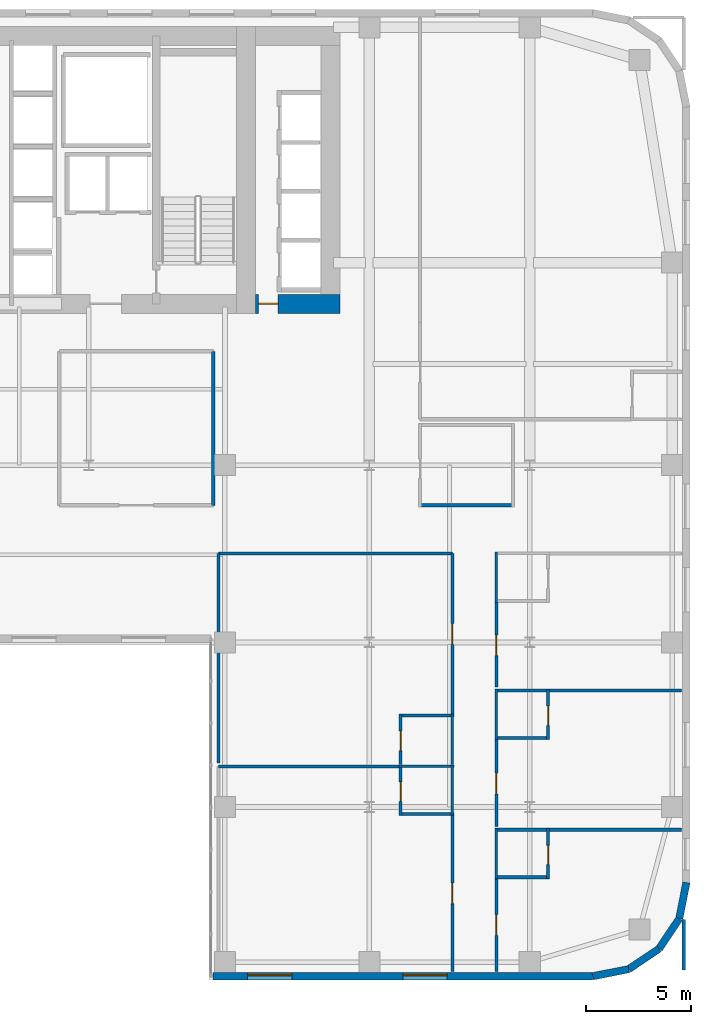
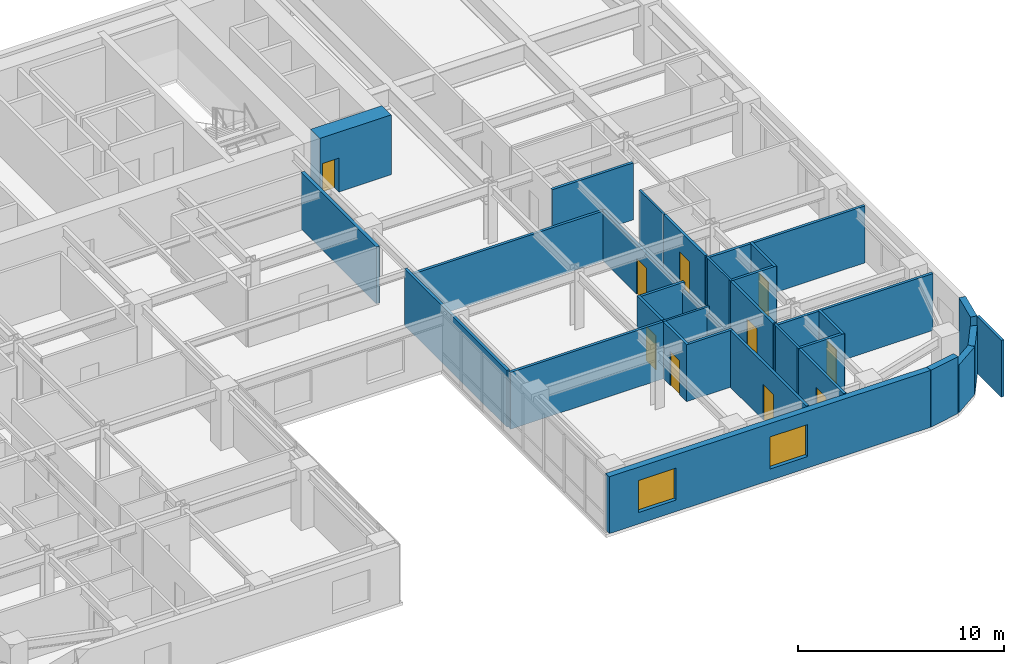
# One storey, part 12 of 16: 35 walls, 10 doors, 2 windows, 12 openings.
"""IFC4 building model written with IfcOpenShell, lengths in metres."""

from ifc_helpers import new_model, si_unit, direction, frame, frame_2d, origin, place, context, subcontext, project, spatial, rectangle, extrude, source, transform, mapped, material, layer, layer_set, type_object, type_shapes, element, fill, save


model = new_model("IFC4")

# Units and contexts
model_context = context("Model", 3, precision=1e-05, world=origin(), true_north=direction((0.0, 1.0)))
body_context = subcontext(model_context, "Body", "Model", "MODEL_VIEW")
ifc_project = project(units=[si_unit("LENGTHUNIT", "METRE"), si_unit("AREAUNIT", "SQUARE_METRE"), si_unit("VOLUMEUNIT", "CUBIC_METRE"), si_unit("PLANEANGLEUNIT", "RADIAN"), si_unit("MASSUNIT", "GRAM", prefix="KILO")], contexts=[model_context])

# Site, building, storey
site_placement = place(None, origin())
site = spatial("IfcSite", under=ifc_project, at=site_placement, CompositionType="ELEMENT")
building_placement = place(site_placement, origin())
building = spatial("IfcBuilding", under=site, at=building_placement, Name="Tolvann Quenvar Hotel", CompositionType="ELEMENT")
storey_placement = place(building_placement, frame((0.0, 0.0, 63.949951171875)))
storey = spatial("IfcBuildingStorey", under=building, at=storey_placement, Name="L15", CompositionType="ELEMENT", Elevation=63.949951171875)

# Wall, opening, door
ifc_material_1 = material(Name="Concrete S80 (80 MPa)", Category="concrete")
ifc_layer_1 = layer(ifc_material_1, 0.89990234375)
ifc_layer_set_1 = layer_set([ifc_layer_1], Name="Concrete S80 (80 MPa)")
wall_type_1 = type_object("IfcWallType", Name="WALL_CORE_900", PredefinedType="SHEAR", material=ifc_layer_set_1)
wall_1_placement = place(storey_placement, frame((36.39990234375, 32.050048828125, 0.0), z_axis=(0.0, 0.0, 1.0), x_axis=(1.0, 0.0, 0.0)))
wall_1 = element("IfcWall", 1, at=wall_1_placement, inside=storey, type_object=wall_type_1, Name="Core East Annex Shear Wall ANN-S (L15)", PredefinedType="SHEAR", context=body_context, shape_type="SweptSolid", body=[
    extrude(rectangle(XDim=4.0, YDim=0.89990234375, at=frame_2d((2.0, 0.0))), origin(), (0.0, 0.0, 1.0), 3.550048828125),
])
opening_1_placement = place(wall_1_placement, frame((1.06982421875, 0.0, 0.0), z_axis=(0.0, 0.0, 1.0), x_axis=(-1.0, 0.0, 0.0)))
opening_1 = element("IfcOpeningElement", 2, at=opening_1_placement, cuts=wall_1, Name="Opening WD-01", PredefinedType="OPENING", context=body_context, shape_type="SweptSolid", body=[
    extrude(rectangle(XDim=0.919921875, YDim=2.010009765625, at=frame_2d((0.4599609375, 1.0048828125))), frame((0.0, 0.4599609375, 0.0), z_axis=(0.0, -1.0, 0.0), x_axis=(1.0, 0.0, 0.0)), (0.0, 0.0, 1.0), 0.919921875),
])
ifc_material_2 = material(Name="Solid-core American oak acoustic fire door leaf in steel frame", Category="steel")
door_type_1 = type_object("IfcDoorType", Name="DOOR_WC_920", OperationType="NOTDEFINED", PredefinedType="DOOR", material=ifc_material_2)
shared_shape_1 = source(origin(), body_context, "Body", "SweptSolid", [
    extrude(rectangle(XDim=0.919921875, YDim=2.010009765625, at=frame_2d((0.4599609375, 1.0048828125))), frame((0.0, 0.02490234375, 0.0), z_axis=(0.0, -1.0, 0.0), x_axis=(1.0, 0.0, 0.0)), (0.0, 0.0, 1.0), 0.050048828125),
])
type_shapes(door_type_1, [shared_shape_1])
door_1_placement = place(opening_1_placement, origin())
door_1 = element("IfcDoor", 3, at=door_1_placement, inside=storey, type_object=door_type_1, Name="Low-Rise Lift Lobby Fire Door (L15)", OperationType="SINGLE_SWING_RIGHT", OverallHeight=2.010009765625, OverallWidth=0.919921875, PredefinedType="DOOR", context=body_context, shape_type="MappedRepresentation", body=[
    mapped(shared_shape_1, transform((0.0, 0.0, 0.0), x_axis=(1.0, 0.0, 0.0), y_axis=(0.0, 1.0, 0.0), z_axis=(0.0, 0.0, 1.0), scale=1.0)),
])
fill(opening_1, door_1)

# Wall, openings, windows
ifc_material_3 = material(Name="Kiln-fired red and buff architectural clay brickwork and terracotta masonry", Category="masonry")
ifc_layer_2 = layer(ifc_material_3, 0.35009765625)
ifc_layer_set_2 = layer_set([ifc_layer_2], Name="Kiln-fired red and buff architectural clay brickwork and terracotta masonry")
wall_type_2 = type_object("IfcWallType", Name="WALL_EXT_BRICK_350", PredefinedType="SOLIDWALL", material=ifc_layer_set_2)
wall_2_placement = place(storey_placement, frame((34.375, 0.175048828125, 0.0), z_axis=(0.0, 0.0, 1.0), x_axis=(1.0, 0.0, 0.0)))
wall_2 = element("IfcWall", 4, at=wall_2_placement, inside=storey, type_object=wall_type_2, Name="Exterior Chicago Brick Wall L15-E08", PredefinedType="SOLIDWALL", context=body_context, shape_type="SweptSolid", body=[
    extrude(rectangle(XDim=18.0078125, YDim=0.35009765625, at=frame_2d((9.00390625, 0.0))), origin(), (0.0, 0.0, 1.0), 3.3701171875),
])
opening_2_placement = place(wall_2_placement, frame((1.65087890625, 0.0, 0.679931640625)))
opening_2 = element("IfcOpeningElement", 5, at=opening_2_placement, cuts=wall_2, Name="Opening W-02", PredefinedType="OPENING", context=body_context, shape_type="SweptSolid", body=[
    extrude(rectangle(XDim=2.10009765625, YDim=1.89990234375, at=frame_2d((1.050048828125, 0.949951171875))), frame((0.0, 0.18505859375, 0.0), z_axis=(0.0, -1.0, 0.0), x_axis=(1.0, 0.0, 0.0)), (0.0, 0.0, 1.0), 0.3701171875),
])
opening_3_placement = place(wall_2_placement, frame((9.0048828125, 0.0, 0.679931640625)))
opening_3 = element("IfcOpeningElement", 6, at=opening_3_placement, cuts=wall_2, Name="Opening W-02", PredefinedType="OPENING", context=body_context, shape_type="SweptSolid", body=[
    extrude(rectangle(XDim=2.10009765625, YDim=1.89990234375, at=frame_2d((1.050048828125, 0.949951171875))), frame((0.0, 0.18505859375, 0.0), z_axis=(0.0, -1.0, 0.0), x_axis=(1.0, 0.0, 0.0)), (0.0, 0.0, 1.0), 0.3701171875),
])
ifc_material_4 = material(Name="Thermally broken bronze-anodised aluminium frame with double low-E glazing", Category="aluminium")
window_type = type_object("IfcWindowType", Name="WIN_CHI_2100x2050", PartitioningType="TRIPLE_PANEL_HORIZONTAL", PredefinedType="WINDOW", material=ifc_material_4)
shared_shape_2 = source(origin(), body_context, "Body", "SweptSolid", [
    extrude(rectangle(XDim=2.10009765625, YDim=1.89990234375, at=frame_2d((1.050048828125, 0.949951171875))), frame((0.0, 0.090087890625, 0.0), z_axis=(0.0, -1.0, 0.0), x_axis=(1.0, 0.0, 0.0)), (0.0, 0.0, 1.0), 0.06005859375),
])
type_shapes(window_type, [shared_shape_2])
window_1_placement = place(opening_2_placement, origin())
window_1 = element("IfcWindow", 7, at=window_1_placement, inside=storey, type_object=window_type, Name="Chicago Window W-02 (EW-L15-E08-W01)", OverallHeight=1.89990234375, OverallWidth=2.10009765625, PartitioningType="TRIPLE_PANEL_HORIZONTAL", PredefinedType="WINDOW", context=body_context, shape_type="MappedRepresentation", body=[
    mapped(shared_shape_2, transform((0.0, 0.0, 0.0), x_axis=(1.0, 0.0, 0.0), y_axis=(0.0, 1.0, 0.0), z_axis=(0.0, 0.0, 1.0), scale=1.0)),
])
fill(opening_2, window_1)
window_2_placement = place(opening_3_placement, origin())
window_2 = element("IfcWindow", 8, at=window_2_placement, inside=storey, type_object=window_type, Name="Chicago Window W-02 (EW-L15-E08-W02)", OverallHeight=1.89990234375, OverallWidth=2.10009765625, PartitioningType="TRIPLE_PANEL_HORIZONTAL", PredefinedType="WINDOW", context=body_context, shape_type="MappedRepresentation", body=[
    mapped(shared_shape_2, transform((0.0, 0.0, 0.0), x_axis=(1.0, 0.0, 0.0), y_axis=(0.0, 1.0, 0.0), z_axis=(0.0, 0.0, 1.0), scale=1.0)),
])
fill(opening_3, window_2)

# Walls
wall_3_placement = place(storey_placement, frame((52.3828125, 0.175048828125, 0.0), z_axis=(0.0, 0.0, 1.0), x_axis=(0.980800971659, 0.195011420161, 0.0)))
element("IfcWall", 9, at=wall_3_placement, inside=storey, type_object=wall_type_2, Name="Exterior Chicago Brick Wall L15-E09", PredefinedType="SOLIDWALL", context=body_context, shape_type="SweptSolid", body=[
    extrude(rectangle(XDim=1.74267578125, YDim=0.35009765625, at=frame_2d((0.871337890625, 0.0))), origin(), (0.0, 0.0, 1.0), 3.3701171875),
])
for number, where, z_axis, x_axis, name in (
    (10, (54.092041015625, 0.514892578125, 0.0), (0.0, 0.0, 1.0), (0.831483840845, 0.55554893791, 0.0), "Exterior Chicago Brick Wall L15-E10"),
    (11, (55.526611328125, 1.473388671875, 0.0), (0.0, 0.0, 1.0), (0.55554893791, 0.831483840845, 0.0), "Exterior Chicago Brick Wall L15-E11"),
):
    element("IfcWall", number, at=place(storey_placement, frame(where, z_axis=z_axis, x_axis=x_axis)), inside=storey, type_object=wall_type_2, Name=name, PredefinedType="SOLIDWALL", context=body_context, shape_type="SweptSolid", body=[
        extrude(rectangle(XDim=1.725341796875, YDim=0.35009765625, at=frame_2d((0.86279296875, 0.0))), origin(), (0.0, 0.0, 1.0), 2.83203125),
    ])
wall_4_placement = place(storey_placement, frame((56.485107421875, 2.907958984375, 0.0), z_axis=(0.0, 0.0, 1.0), x_axis=(0.195011420161, 0.980800971659, 0.0)))
element("IfcWall", 12, at=wall_4_placement, inside=storey, type_object=wall_type_2, Name="Exterior Chicago Brick Wall L15-E12", PredefinedType="SOLIDWALL", context=body_context, shape_type="SweptSolid", body=[
    extrude(rectangle(XDim=1.74267578125, YDim=0.35009765625, at=frame_2d((0.871337890625, 0.0))), origin(), (0.0, 0.0, 1.0), 3.3701171875),
])
ifc_material_5 = material(Name="Acoustic twin-stud fire-rated gypsum plasterboard partition")
ifc_layer_3 = layer(ifc_material_5, 0.179931640625)
ifc_layer_set_3 = layer_set([ifc_layer_3], Name="Acoustic twin-stud fire-rated gypsum plasterboard partition")
wall_type_3 = type_object("IfcWallType", Name="WALL_PART_ACOUSTIC_180", PredefinedType="PARTITIONING", material=ifc_layer_set_3)
wall_5_placement = place(storey_placement, frame((34.39990234375, 22.5, 0.0), z_axis=(0.0, 0.0, 1.0), x_axis=(0.0, 1.0, 0.0)))
element("IfcWall", 13, at=wall_5_placement, inside=storey, type_object=wall_type_3, Name="Interior Partition PT-SPC-L15-MSP-C-E", PredefinedType="PARTITIONING", context=body_context, shape_type="SweptSolid", body=[
    extrude(rectangle(XDim=7.300048828125, YDim=0.179931640625, at=frame_2d((3.64990234375, 0.0))), origin(), (0.0, 0.0, 1.0), 3.3701171875),
])
ifc_material_6 = material(Name="Moisture-resistant acoustic plumbing wall assembly")
ifc_layer_4 = layer(ifc_material_6, 0.1201171875)
ifc_layer_set_4 = layer_set([ifc_layer_4], Name="Moisture-resistant acoustic plumbing wall assembly")
wall_type_4 = type_object("IfcWallType", Name="WALL_PART_BATH_120", PredefinedType="PLUMBINGWALL", material=ifc_layer_set_4)
wall_6_placement = place(storey_placement, frame((43.2099609375, 10.1201171875, 0.0), z_axis=(0.0, 0.0, 1.0), x_axis=(1.0, 0.0, 0.0)))
element("IfcWall", 14, at=wall_6_placement, inside=storey, type_object=wall_type_4, Name="Non-Rated Plumbing Partition PT-SPC-L15-ENS-EI01-N", PredefinedType="PLUMBINGWALL", context=body_context, shape_type="SweptSolid", body=[
    extrude(rectangle(XDim=2.590087890625, YDim=0.1201171875, at=frame_2d((1.294921875, 0.0))), origin(), (0.0, 0.0, 1.0), 3.3701171875),
])
wall_7_placement = place(storey_placement, frame((45.72998046875, 7.800048828125, 0.0), z_axis=(0.0, 0.0, 1.0), x_axis=(0.0, 1.0, 0.0)))
element("IfcWall", 15, at=wall_7_placement, inside=storey, type_object=wall_type_4, Name="Non-Rated Plumbing Partition PT-SPC-L15-ENS-EI01-E", PredefinedType="PLUMBINGWALL", context=body_context, shape_type="SweptSolid", body=[
    extrude(rectangle(XDim=2.389892578125, YDim=0.1201171875, at=frame_2d((1.19482421875, 0.0))), origin(), (0.0, 0.0, 1.0), 2.9541015625),
])
wall_8_placement = place(storey_placement, frame((45.72998046875, 10.2099609375, 0.0), z_axis=(0.0, 0.0, 1.0), x_axis=(0.0, 1.0, 0.0)))
element("IfcWall", 16, at=wall_8_placement, inside=storey, type_object=wall_type_4, Name="Non-Rated Plumbing Partition PT-SPC-L15-ENS-EI02-E", PredefinedType="PLUMBINGWALL", context=body_context, shape_type="SweptSolid", body=[
    extrude(rectangle(XDim=2.39013671875, YDim=0.1201171875, at=frame_2d((1.195068359375, 0.0))), origin(), (0.0, 0.0, 1.0), 2.9541015625),
])
wall_9_placement = place(storey_placement, frame((47.820068359375, 4.800048828125, 0.0), z_axis=(0.0, 0.0, 1.0), x_axis=(0.0, 1.0, 0.0)))
element("IfcWall", 17, at=wall_9_placement, inside=storey, type_object=wall_type_4, Name="Non-Rated Plumbing Partition PT-SPC-L15-ENS-EO01-W", PredefinedType="PLUMBINGWALL", context=body_context, shape_type="SweptSolid", body=[
    extrude(rectangle(XDim=2.389892578125, YDim=0.1201171875, at=frame_2d((1.19482421875, 0.0))), origin(), (0.0, 0.0, 1.0), 3.3701171875),
])
for number, where, z_axis, x_axis, name in (
    (18, (47.820068359375, 11.39990234375, 0.0), (0.0, 0.0, 1.0), (0.0, 1.0, 0.0), "Non-Rated Plumbing Partition PT-SPC-L15-ENS-EO02-W"),
    (19, (47.820068359375, 17.89990234375, 0.0), (0.0, 0.0, 1.0), (0.0, 1.0, 0.0), "Non-Rated Plumbing Partition PT-SPC-L15-ENS-EO03-W"),
):
    element("IfcWall", number, at=place(storey_placement, frame(where, z_axis=z_axis, x_axis=x_axis)), inside=storey, type_object=wall_type_4, Name=name, PredefinedType="PLUMBINGWALL", context=body_context, shape_type="SweptSolid", body=[
        extrude(rectangle(XDim=2.39013671875, YDim=0.1201171875, at=frame_2d((1.195068359375, 0.0))), origin(), (0.0, 0.0, 1.0), 3.3701171875),
    ])

# Wall, opening, door
ifc_layer_5 = layer(ifc_material_5, 0.14990234375)
ifc_layer_set_5 = layer_set([ifc_layer_5], Name="Acoustic twin-stud fire-rated gypsum plasterboard partition")
wall_type_5 = type_object("IfcWallType", Name="WALL_PART_SUITE_150", PredefinedType="PARTITIONING", material=ifc_layer_set_5)
wall_10_placement = place(storey_placement, frame((43.280029296875, 7.800048828125, 0.0), z_axis=(0.0, 0.0, 1.0), x_axis=(0.0, 1.0, 0.0)))
wall_10 = element("IfcWall", 20, at=wall_10_placement, inside=storey, type_object=wall_type_5, Name="Interior Partition PT-SPC-L15-ENS-EI01-ENT", PredefinedType="PARTITIONING", context=body_context, shape_type="SweptSolid", body=[
    extrude(rectangle(XDim=2.389892578125, YDim=0.14990234375, at=frame_2d((1.19482421875, 0.0))), origin(), (0.0, 0.0, 1.0), 3.3701171875),
])
opening_4_placement = place(wall_10_placement, frame((0.6650390625, 0.0, 0.0)))
opening_4 = element("IfcOpeningElement", 21, at=opening_4_placement, cuts=wall_10, Name="Opening WD-01", PredefinedType="OPENING", context=body_context, shape_type="SweptSolid", body=[
    extrude(rectangle(XDim=0.919921875, YDim=2.010009765625, at=frame_2d((0.4599609375, 1.0048828125))), frame((0.0, 0.0849609375, 0.0), z_axis=(0.0, -1.0, 0.0), x_axis=(1.0, 0.0, 0.0)), (0.0, 0.0, 1.0), 0.169921875),
])
door_2_placement = place(opening_4_placement, origin())
door_2 = element("IfcDoor", 22, at=door_2_placement, inside=storey, type_object=door_type_1, Name="Interior Door DOOR-SPC-L15-ENS-EI01", OperationType="SINGLE_SWING_RIGHT", OverallHeight=2.010009765625, OverallWidth=0.919921875, PredefinedType="DOOR", context=body_context, shape_type="MappedRepresentation", body=[
    mapped(shared_shape_1, transform((0.0, 0.0, 0.0), x_axis=(1.0, 0.0, 0.0), y_axis=(0.0, 1.0, 0.0), z_axis=(0.0, 0.0, 1.0), scale=1.0)),
])
fill(opening_4, door_2)

# Wall
wall_11_placement = place(storey_placement, frame((43.2099609375, 7.8701171875, 0.0), z_axis=(0.0, 0.0, 1.0), x_axis=(1.0, 0.0, 0.0)))
element("IfcWall", 23, at=wall_11_placement, inside=storey, type_object=wall_type_5, Name="Interior Partition PT-SPC-L15-ENS-EI01-S", PredefinedType="PARTITIONING", context=body_context, shape_type="SweptSolid", body=[
    extrude(rectangle(XDim=2.590087890625, YDim=0.14990234375, at=frame_2d((1.294921875, 0.0))), origin(), (0.0, 0.0, 1.0), 3.3701171875),
])

# Wall, opening, door
wall_12_placement = place(storey_placement, frame((43.280029296875, 10.2099609375, 0.0), z_axis=(0.0, 0.0, 1.0), x_axis=(0.0, 1.0, 0.0)))
wall_12 = element("IfcWall", 24, at=wall_12_placement, inside=storey, type_object=wall_type_5, Name="Interior Partition PT-SPC-L15-ENS-EI02-ENT", PredefinedType="PARTITIONING", context=body_context, shape_type="SweptSolid", body=[
    extrude(rectangle(XDim=2.39013671875, YDim=0.14990234375, at=frame_2d((1.195068359375, 0.0))), origin(), (0.0, 0.0, 1.0), 3.3701171875),
])
opening_5_placement = place(wall_12_placement, frame((0.6650390625, 0.0, 0.0)))
opening_5 = element("IfcOpeningElement", 25, at=opening_5_placement, cuts=wall_12, Name="Opening WD-01", PredefinedType="OPENING", context=body_context, shape_type="SweptSolid", body=[
    extrude(rectangle(XDim=0.919921875, YDim=2.010009765625, at=frame_2d((0.4599609375, 1.0048828125))), frame((0.0, 0.0849609375, 0.0), z_axis=(0.0, -1.0, 0.0), x_axis=(1.0, 0.0, 0.0)), (0.0, 0.0, 1.0), 0.169921875),
])
door_3_placement = place(opening_5_placement, origin())
door_3 = element("IfcDoor", 26, at=door_3_placement, inside=storey, type_object=door_type_1, Name="Interior Door DOOR-SPC-L15-ENS-EI02", OperationType="SINGLE_SWING_LEFT", OverallHeight=2.010009765625, OverallWidth=0.919921875, PredefinedType="DOOR", context=body_context, shape_type="MappedRepresentation", body=[
    mapped(shared_shape_1, transform((0.0, 0.0, 0.0), x_axis=(1.0, 0.0, 0.0), y_axis=(0.0, 1.0, 0.0), z_axis=(0.0, 0.0, 1.0), scale=1.0)),
])
fill(opening_5, door_3)

# Wall
wall_13_placement = place(storey_placement, frame((43.2099609375, 12.530029296875, 0.0), z_axis=(0.0, 0.0, 1.0), x_axis=(1.0, 0.0, 0.0)))
element("IfcWall", 27, at=wall_13_placement, inside=storey, type_object=wall_type_5, Name="Interior Partition PT-SPC-L15-ENS-EI02-N", PredefinedType="PARTITIONING", context=body_context, shape_type="SweptSolid", body=[
    extrude(rectangle(XDim=2.590087890625, YDim=0.14990234375, at=frame_2d((1.294921875, 0.0))), origin(), (0.0, 0.0, 1.0), 3.3701171875),
])

# Wall, opening, door
wall_14_placement = place(storey_placement, frame((50.27001953125, 4.800048828125, 0.0), z_axis=(0.0, 0.0, 1.0), x_axis=(0.0, 1.0, 0.0)))
wall_14 = element("IfcWall", 28, at=wall_14_placement, inside=storey, type_object=wall_type_5, Name="Interior Partition PT-SPC-L15-ENS-EO01-ENT", PredefinedType="PARTITIONING", context=body_context, shape_type="SweptSolid", body=[
    extrude(rectangle(XDim=2.389892578125, YDim=0.14990234375, at=frame_2d((1.19482421875, 0.0))), origin(), (0.0, 0.0, 1.0), 3.3701171875),
])
opening_6_placement = place(wall_14_placement, frame((0.6650390625, 0.0, 0.0)))
opening_6 = element("IfcOpeningElement", 29, at=opening_6_placement, cuts=wall_14, Name="Opening WD-01", PredefinedType="OPENING", context=body_context, shape_type="SweptSolid", body=[
    extrude(rectangle(XDim=0.919921875, YDim=2.010009765625, at=frame_2d((0.4599609375, 1.0048828125))), frame((0.0, 0.0849609375, 0.0), z_axis=(0.0, -1.0, 0.0), x_axis=(1.0, 0.0, 0.0)), (0.0, 0.0, 1.0), 0.169921875),
])
door_4_placement = place(opening_6_placement, origin())
door_4 = element("IfcDoor", 30, at=door_4_placement, inside=storey, type_object=door_type_1, Name="Interior Door DOOR-SPC-L15-ENS-EO01", OperationType="SINGLE_SWING_RIGHT", OverallHeight=2.010009765625, OverallWidth=0.919921875, PredefinedType="DOOR", context=body_context, shape_type="MappedRepresentation", body=[
    mapped(shared_shape_1, transform((0.0, 0.0, 0.0), x_axis=(1.0, 0.0, 0.0), y_axis=(0.0, 1.0, 0.0), z_axis=(0.0, 0.0, 1.0), scale=1.0)),
])
fill(opening_6, door_4)

# Walls
for number, where, z_axis, x_axis, name in (
    (31, (47.75, 4.8701171875, 0.0), (0.0, 0.0, 1.0), (1.0, 0.0, 0.0), "Interior Partition PT-SPC-L15-ENS-EO01-S"),
    (32, (47.75, 7.1201171875, 0.0), (0.0, 0.0, 1.0), (1.0, 0.0, 0.0), "Interior Partition PT-SPC-L15-ENS-EO01-N"),
):
    element("IfcWall", number, at=place(storey_placement, frame(where, z_axis=z_axis, x_axis=x_axis)), inside=storey, type_object=wall_type_5, Name=name, PredefinedType="PARTITIONING", context=body_context, shape_type="SweptSolid", body=[
        extrude(rectangle(XDim=2.590087890625, YDim=0.14990234375, at=frame_2d((1.294921875, 0.0))), origin(), (0.0, 0.0, 1.0), 3.3701171875),
    ])

# Wall, opening, door
wall_15_placement = place(storey_placement, frame((50.27001953125, 11.39990234375, 0.0), z_axis=(0.0, 0.0, 1.0), x_axis=(0.0, 1.0, 0.0)))
wall_15 = element("IfcWall", 33, at=wall_15_placement, inside=storey, type_object=wall_type_5, Name="Interior Partition PT-SPC-L15-ENS-EO02-ENT", PredefinedType="PARTITIONING", context=body_context, shape_type="SweptSolid", body=[
    extrude(rectangle(XDim=2.39013671875, YDim=0.14990234375, at=frame_2d((1.195068359375, 0.0))), origin(), (0.0, 0.0, 1.0), 3.3701171875),
])
opening_7_placement = place(wall_15_placement, frame((0.6650390625, 0.0, 0.0)))
opening_7 = element("IfcOpeningElement", 34, at=opening_7_placement, cuts=wall_15, Name="Opening WD-01", PredefinedType="OPENING", context=body_context, shape_type="SweptSolid", body=[
    extrude(rectangle(XDim=0.919921875, YDim=2.010009765625, at=frame_2d((0.4599609375, 1.0048828125))), frame((0.0, 0.0849609375, 0.0), z_axis=(0.0, -1.0, 0.0), x_axis=(1.0, 0.0, 0.0)), (0.0, 0.0, 1.0), 0.169921875),
])
door_5_placement = place(opening_7_placement, origin())
door_5 = element("IfcDoor", 35, at=door_5_placement, inside=storey, type_object=door_type_1, Name="Interior Door DOOR-SPC-L15-ENS-EO02", OperationType="SINGLE_SWING_LEFT", OverallHeight=2.010009765625, OverallWidth=0.919921875, PredefinedType="DOOR", context=body_context, shape_type="MappedRepresentation", body=[
    mapped(shared_shape_1, transform((0.0, 0.0, 0.0), x_axis=(1.0, 0.0, 0.0), y_axis=(0.0, 1.0, 0.0), z_axis=(0.0, 0.0, 1.0), scale=1.0)),
])
fill(opening_7, door_5)

# Walls
for number, where, z_axis, x_axis, name in (
    (36, (47.75, 11.469970703125, 0.0), (0.0, 0.0, 1.0), (1.0, 0.0, 0.0), "Interior Partition PT-SPC-L15-ENS-EO02-S"),
    (37, (47.75, 13.719970703125, 0.0), (0.0, 0.0, 1.0), (1.0, 0.0, 0.0), "Interior Partition PT-SPC-L15-ENS-EO02-N"),
):
    element("IfcWall", number, at=place(storey_placement, frame(where, z_axis=z_axis, x_axis=x_axis)), inside=storey, type_object=wall_type_5, Name=name, PredefinedType="PARTITIONING", context=body_context, shape_type="SweptSolid", body=[
        extrude(rectangle(XDim=2.590087890625, YDim=0.14990234375, at=frame_2d((1.294921875, 0.0))), origin(), (0.0, 0.0, 1.0), 3.3701171875),
    ])

# Wall, opening, door
wall_16_placement = place(storey_placement, frame((45.72998046875, 0.405029296875, 0.0), z_axis=(0.0, 0.0, 1.0), x_axis=(0.0, 1.0, 0.0)))
wall_16 = element("IfcWall", 38, at=wall_16_placement, inside=storey, type_object=wall_type_5, Name="Interior Partition PT-SPC-L15-RM-EI01-ENT", PredefinedType="PARTITIONING", context=body_context, shape_type="SweptSolid", body=[
    extrude(rectangle(XDim=7.385009765625, YDim=0.14990234375, at=frame_2d((3.6923828125, 0.0))), origin(), (0.0, 0.0, 1.0), 3.3701171875),
])
opening_8_placement = place(wall_16_placement, frame((3.2099609375, 0.0, 0.0)))
opening_8 = element("IfcOpeningElement", 39, at=opening_8_placement, cuts=wall_16, Name="Opening SD-01", PredefinedType="OPENING", context=body_context, shape_type="SweptSolid", body=[
    extrude(rectangle(XDim=0.97998046875, YDim=2.1201171875, at=frame_2d((0.489990234375, 1.06005859375))), frame((0.0, 0.0849609375, 0.0), z_axis=(0.0, -1.0, 0.0), x_axis=(1.0, 0.0, 0.0)), (0.0, 0.0, 1.0), 0.169921875),
])
door_type_2 = type_object("IfcDoorType", Name="DOOR_SUITE_980", OperationType="NOTDEFINED", PredefinedType="DOOR", material=ifc_material_2)
shared_shape_3 = source(origin(), body_context, "Body", "SweptSolid", [
    extrude(rectangle(XDim=0.97998046875, YDim=2.1201171875, at=frame_2d((0.489990234375, 1.06005859375))), frame((0.0, 0.02490234375, 0.0), z_axis=(0.0, -1.0, 0.0), x_axis=(1.0, 0.0, 0.0)), (0.0, 0.0, 1.0), 0.050048828125),
])
type_shapes(door_type_2, [shared_shape_3])
door_6_placement = place(opening_8_placement, origin())
door_6 = element("IfcDoor", 40, at=door_6_placement, inside=storey, type_object=door_type_2, Name="Interior Door DOOR-SPC-L15-RM-EI01", OperationType="SINGLE_SWING_RIGHT", OverallHeight=2.1201171875, OverallWidth=0.97998046875, PredefinedType="DOOR", context=body_context, shape_type="MappedRepresentation", body=[
    mapped(shared_shape_3, transform((0.0, 0.0, 0.0), x_axis=(1.0, 0.0, 0.0), y_axis=(0.0, 1.0, 0.0), z_axis=(0.0, 0.0, 1.0), scale=1.0)),
])
fill(opening_8, door_6)

# Wall
wall_17_placement = place(storey_placement, frame((34.64990234375, 10.1201171875, 0.0), z_axis=(0.0, 0.0, 1.0), x_axis=(1.0, 0.0, 0.0)))
element("IfcWall", 41, at=wall_17_placement, inside=storey, type_object=wall_type_5, Name="Interior Partition PT-SPC-L15-RM-EI01-E5", PredefinedType="PARTITIONING", context=body_context, shape_type="SweptSolid", body=[
    extrude(rectangle(XDim=8.610107421875, YDim=0.14990234375, at=frame_2d((4.30517578125, 0.0))), origin(), (0.0, 0.0, 1.0), 3.3701171875),
])

# Wall, opening, door
wall_18_placement = place(storey_placement, frame((45.72998046875, 12.610107421875, 0.0), z_axis=(0.0, 0.0, 1.0), x_axis=(0.0, 1.0, 0.0)))
wall_18 = element("IfcWall", 42, at=wall_18_placement, inside=storey, type_object=wall_type_5, Name="Interior Partition PT-SPC-L15-RM-EI02-ENT", PredefinedType="PARTITIONING", context=body_context, shape_type="SweptSolid", body=[
    extrude(rectangle(XDim=7.60986328125, YDim=0.14990234375, at=frame_2d((3.804931640625, 0.0))), origin(), (0.0, 0.0, 1.0), 2.9541015625),
])
opening_9_placement = place(wall_18_placement, frame((3.294921875, 0.0, 0.0)))
opening_9 = element("IfcOpeningElement", 43, at=opening_9_placement, cuts=wall_18, Name="Opening SD-01", PredefinedType="OPENING", context=body_context, shape_type="SweptSolid", body=[
    extrude(rectangle(XDim=0.97998046875, YDim=2.1201171875, at=frame_2d((0.489990234375, 1.06005859375))), frame((0.0, 0.0849609375, 0.0), z_axis=(0.0, -1.0, 0.0), x_axis=(1.0, 0.0, 0.0)), (0.0, 0.0, 1.0), 0.169921875),
])
door_7_placement = place(opening_9_placement, origin())
door_7 = element("IfcDoor", 44, at=door_7_placement, inside=storey, type_object=door_type_2, Name="Interior Door DOOR-SPC-L15-RM-EI02", OperationType="SINGLE_SWING_LEFT", OverallHeight=2.1201171875, OverallWidth=0.97998046875, PredefinedType="DOOR", context=body_context, shape_type="MappedRepresentation", body=[
    mapped(shared_shape_3, transform((0.0, 0.0, 0.0), x_axis=(1.0, 0.0, 0.0), y_axis=(0.0, 1.0, 0.0), z_axis=(0.0, 0.0, 1.0), scale=1.0)),
])
fill(opening_9, door_7)

# Walls
wall_19_placement = place(storey_placement, frame((34.64990234375, 20.219970703125, 0.0), z_axis=(0.0, 0.0, 1.0), x_axis=(1.0, 0.0, 0.0)))
element("IfcWall", 45, at=wall_19_placement, inside=storey, type_object=wall_type_5, Name="Interior Partition PT-SPC-L15-RM-EI02-E5", PredefinedType="PARTITIONING", context=body_context, shape_type="SweptSolid", body=[
    extrude(rectangle(XDim=11.080078125, YDim=0.14990234375, at=frame_2d((5.5400390625, 0.0))), origin(), (0.0, 0.0, 1.0), 2.9541015625),
])
wall_20_placement = place(storey_placement, frame((34.64990234375, 10.280029296875, 0.0), z_axis=(0.0, 0.0, 1.0), x_axis=(0.0, 1.0, 0.0)))
element("IfcWall", 46, at=wall_20_placement, inside=storey, type_object=wall_type_5, Name="Interior Partition PT-SPC-L15-RM-EI02-E6", PredefinedType="PARTITIONING", context=body_context, shape_type="SweptSolid", body=[
    extrude(rectangle(XDim=9.93994140625, YDim=0.14990234375, at=frame_2d((4.969970703125, 0.0))), origin(), (0.0, 0.0, 1.0), 3.3701171875),
])

# Wall, opening, door
wall_21_placement = place(storey_placement, frame((47.820068359375, 0.405029296875, 0.0), z_axis=(0.0, 0.0, 1.0), x_axis=(0.0, 1.0, 0.0)))
wall_21 = element("IfcWall", 47, at=wall_21_placement, inside=storey, type_object=wall_type_5, Name="Interior Partition PT-SPC-L15-RM-EO01-ENT", PredefinedType="PARTITIONING", context=body_context, shape_type="SweptSolid", body=[
    extrude(rectangle(XDim=4.385009765625, YDim=0.14990234375, at=frame_2d((2.1923828125, 0.0))), origin(), (0.0, 0.0, 1.0), 3.3701171875),
])
opening_10_placement = place(wall_21_placement, frame((1.7099609375, 0.0, 0.0)))
opening_10 = element("IfcOpeningElement", 48, at=opening_10_placement, cuts=wall_21, Name="Opening SD-01", PredefinedType="OPENING", context=body_context, shape_type="SweptSolid", body=[
    extrude(rectangle(XDim=0.97998046875, YDim=2.1201171875, at=frame_2d((0.489990234375, 1.06005859375))), frame((0.0, 0.0849609375, 0.0), z_axis=(0.0, -1.0, 0.0), x_axis=(1.0, 0.0, 0.0)), (0.0, 0.0, 1.0), 0.169921875),
])
door_8_placement = place(opening_10_placement, origin())
door_8 = element("IfcDoor", 49, at=door_8_placement, inside=storey, type_object=door_type_2, Name="Interior Door DOOR-SPC-L15-RM-EO01", OperationType="SINGLE_SWING_RIGHT", OverallHeight=2.1201171875, OverallWidth=0.97998046875, PredefinedType="DOOR", context=body_context, shape_type="MappedRepresentation", body=[
    mapped(shared_shape_3, transform((0.0, 0.0, 0.0), x_axis=(1.0, 0.0, 0.0), y_axis=(0.0, 1.0, 0.0), z_axis=(0.0, 0.0, 1.0), scale=1.0)),
])
fill(opening_10, door_8)

# Walls
wall_22_placement = place(storey_placement, frame((56.699951171875, 0.47998046875, 0.0), z_axis=(0.0, 0.0, 1.0), x_axis=(0.0, 1.0, 0.0)))
element("IfcWall", 50, at=wall_22_placement, inside=storey, type_object=wall_type_5, Name="Interior Partition PT-SPC-L15-RM-EO01-E2", PredefinedType="PARTITIONING", context=body_context, shape_type="SweptSolid", body=[
    extrude(rectangle(XDim=2.385009765625, YDim=0.14990234375, at=frame_2d((1.1923828125, 0.0))), origin(), (0.0, 0.0, 1.0), 3.3701171875),
])
wall_23_placement = place(storey_placement, frame((50.2900390625, 7.1201171875, 0.0), z_axis=(0.0, 0.0, 1.0), x_axis=(1.0, 0.0, 0.0)))
element("IfcWall", 51, at=wall_23_placement, inside=storey, type_object=wall_type_5, Name="Interior Partition PT-SPC-L15-RM-EO01-E3", PredefinedType="PARTITIONING", context=body_context, shape_type="SweptSolid", body=[
    extrude(rectangle(XDim=6.304931640625, YDim=0.14990234375, at=frame_2d((3.15234375, 0.0))), origin(), (0.0, 0.0, 1.0), 3.3701171875),
])

# Wall, opening, door
wall_24_placement = place(storey_placement, frame((47.820068359375, 7.280029296875, 0.0), z_axis=(0.0, 0.0, 1.0), x_axis=(0.0, 1.0, 0.0)))
wall_24 = element("IfcWall", 52, at=wall_24_placement, inside=storey, type_object=wall_type_5, Name="Interior Partition PT-SPC-L15-RM-EO02-ENT", PredefinedType="PARTITIONING", context=body_context, shape_type="SweptSolid", body=[
    extrude(rectangle(XDim=4.10986328125, YDim=0.14990234375, at=frame_2d((2.054931640625, 0.0))), origin(), (0.0, 0.0, 1.0), 3.3701171875),
])
opening_11_placement = place(wall_24_placement, frame((1.544921875, 0.0, 0.0)))
opening_11 = element("IfcOpeningElement", 53, at=opening_11_placement, cuts=wall_24, Name="Opening SD-01", PredefinedType="OPENING", context=body_context, shape_type="SweptSolid", body=[
    extrude(rectangle(XDim=0.97998046875, YDim=2.1201171875, at=frame_2d((0.489990234375, 1.06005859375))), frame((0.0, 0.0849609375, 0.0), z_axis=(0.0, -1.0, 0.0), x_axis=(1.0, 0.0, 0.0)), (0.0, 0.0, 1.0), 0.169921875),
])
door_9_placement = place(opening_11_placement, origin())
door_9 = element("IfcDoor", 54, at=door_9_placement, inside=storey, type_object=door_type_2, Name="Interior Door DOOR-SPC-L15-RM-EO02", OperationType="SINGLE_SWING_LEFT", OverallHeight=2.1201171875, OverallWidth=0.97998046875, PredefinedType="DOOR", context=body_context, shape_type="MappedRepresentation", body=[
    mapped(shared_shape_3, transform((0.0, 0.0, 0.0), x_axis=(1.0, 0.0, 0.0), y_axis=(0.0, 1.0, 0.0), z_axis=(0.0, 0.0, 1.0), scale=1.0)),
])
fill(opening_11, door_9)

# Wall
wall_25_placement = place(storey_placement, frame((50.2900390625, 13.719970703125, 0.0), z_axis=(0.0, 0.0, 1.0), x_axis=(1.0, 0.0, 0.0)))
element("IfcWall", 55, at=wall_25_placement, inside=storey, type_object=wall_type_5, Name="Interior Partition PT-SPC-L15-RM-EO02-E3", PredefinedType="PARTITIONING", context=body_context, shape_type="SweptSolid", body=[
    extrude(rectangle(XDim=6.304931640625, YDim=0.14990234375, at=frame_2d((3.15234375, 0.0))), origin(), (0.0, 0.0, 1.0), 3.3701171875),
])

# Wall, opening, door
wall_26_placement = place(storey_placement, frame((47.820068359375, 13.8798828125, 0.0), z_axis=(0.0, 0.0, 1.0), x_axis=(0.0, 1.0, 0.0)))
wall_26 = element("IfcWall", 56, at=wall_26_placement, inside=storey, type_object=wall_type_5, Name="Interior Partition PT-SPC-L15-RM-EO03-ENT", PredefinedType="PARTITIONING", context=body_context, shape_type="SweptSolid", body=[
    extrude(rectangle(XDim=4.010009765625, YDim=0.14990234375, at=frame_2d((2.0048828125, 0.0))), origin(), (0.0, 0.0, 1.0), 3.3701171875),
])
opening_12_placement = place(wall_26_placement, frame((1.4951171875, 0.0, 0.0)))
opening_12 = element("IfcOpeningElement", 57, at=opening_12_placement, cuts=wall_26, Name="Opening SD-01", PredefinedType="OPENING", context=body_context, shape_type="SweptSolid", body=[
    extrude(rectangle(XDim=0.97998046875, YDim=2.1201171875, at=frame_2d((0.489990234375, 1.06005859375))), frame((0.0, 0.0849609375, 0.0), z_axis=(0.0, -1.0, 0.0), x_axis=(1.0, 0.0, 0.0)), (0.0, 0.0, 1.0), 0.169921875),
])
door_10_placement = place(opening_12_placement, origin())
door_10 = element("IfcDoor", 58, at=door_10_placement, inside=storey, type_object=door_type_2, Name="Interior Door DOOR-SPC-L15-RM-EO03", OperationType="SINGLE_SWING_RIGHT", OverallHeight=2.1201171875, OverallWidth=0.97998046875, PredefinedType="DOOR", context=body_context, shape_type="MappedRepresentation", body=[
    mapped(shared_shape_3, transform((0.0, 0.0, 0.0), x_axis=(1.0, 0.0, 0.0), y_axis=(0.0, 1.0, 0.0), z_axis=(0.0, 0.0, 1.0), scale=1.0)),
])
fill(opening_12, door_10)

# Wall
wall_27_placement = place(storey_placement, frame((44.1298828125, 22.5, 0.0), z_axis=(0.0, 0.0, 1.0), x_axis=(1.0, 0.0, 0.0)))
element("IfcWall", 59, at=wall_27_placement, inside=storey, type_object=wall_type_5, Name="Interior Partition PT-SPC-L15-WCA-S", PredefinedType="PARTITIONING", context=body_context, shape_type="SweptSolid", body=[
    extrude(rectangle(XDim=4.5400390625, YDim=0.14990234375, at=frame_2d((2.27001953125, 0.0))), origin(), (0.0, 0.0, 1.0), 3.3701171875),
])

save(model, "model.ifc")
